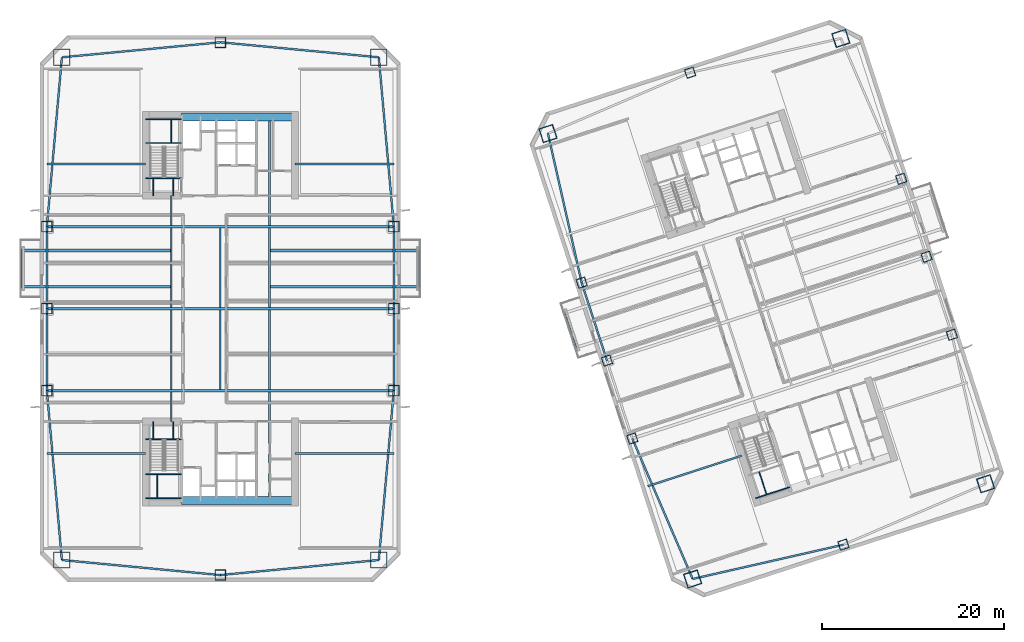
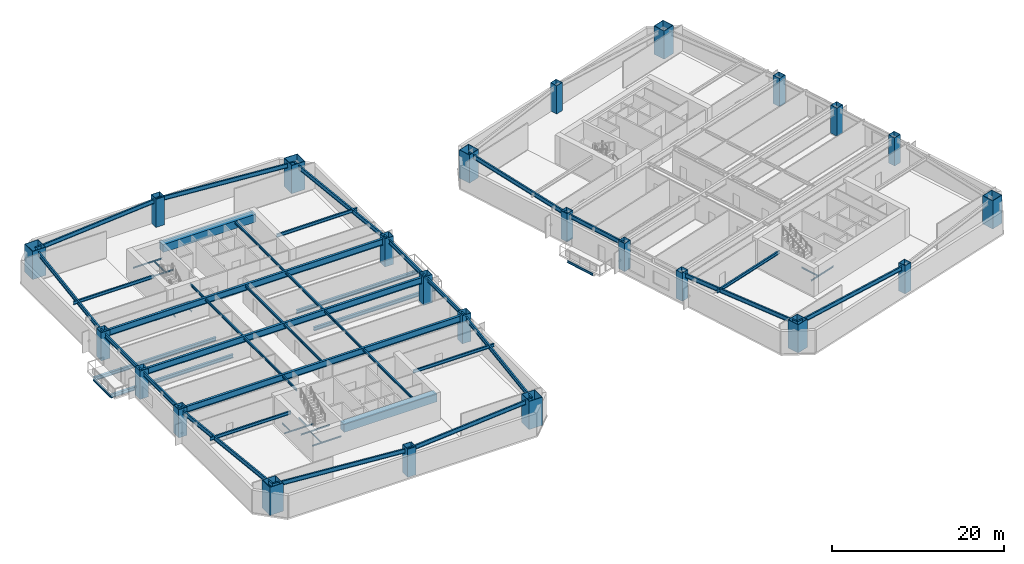
# One storey, part 1 of 21: 57 beams, 24 columns.
"""IFC4 building model written with IfcOpenShell, lengths in metres."""

from ifc_helpers import new_model, si_unit, direction, frame, origin, origin_2d, place, context, subcontext, project, spatial, rectangle, hollow_rectangle, i_section, extrude, material, material_profile, profile_set, type_object, element, save


model = new_model("IFC4")

# Units and contexts
model_context = context("Model", 3, precision=1e-05, world=origin(), true_north=direction((0.0, 1.0)))
body_context = subcontext(model_context, "Body", "Model", "MODEL_VIEW")
ifc_project = project(units=[si_unit("LENGTHUNIT", "METRE"), si_unit("AREAUNIT", "SQUARE_METRE"), si_unit("VOLUMEUNIT", "CUBIC_METRE"), si_unit("PLANEANGLEUNIT", "RADIAN"), si_unit("MASSUNIT", "GRAM", prefix="KILO")], contexts=[model_context])

# Site, building, storey
site_placement = place(None, origin())
site = spatial("IfcSite", under=ifc_project, at=site_placement, CompositionType="ELEMENT")
building_placement = place(site_placement, origin())
building = spatial("IfcBuilding", under=site, at=building_placement, Name="Qiaolan Cultural Towers", CompositionType="ELEMENT")
storey_placement = place(building_placement, frame((0.0, 0.0, 34.0)))
storey = spatial("IfcBuildingStorey", under=building, at=storey_placement, Name="L07", CompositionType="ELEMENT", Elevation=34.0)

# Columns
ifc_material_1 = material(Name="Steel Q355B", Category="steel")
ifc_material_profile_1 = material_profile(ifc_material_1, hollow_rectangle(XDim=1.0, YDim=1.0, WallThickness=0.035888671875, at=origin_2d()), Name="BOX1000x1000x36")
ifc_profile_set_1 = profile_set([ifc_material_profile_1], Name="Steel Q355B")
column_type_1 = type_object("IfcColumnType", Name="COL-BOX1000x1000x36", PredefinedType="COLUMN", material=ifc_profile_set_1)
for number, where, z_axis, x_axis, name in (
    (1, (75.234130859375, 19.739013671875, 0.0), (0.0, 0.0, 1.0), (0.951056516295, 0.309016994375, 0.0), "L07 T2 Perimeter Column PC-W1"),
    (2, (72.453125, 28.298583984375, 0.0), (0.0, 0.0, 1.0), (0.951056516295, 0.309016994375, 0.0), "L07 T2 Perimeter Column PC-W2"),
    (3, (69.671875, 36.858154296875, 0.0), (0.0, 0.0, 1.0), (0.951056516295, 0.309016994375, 0.0), "L07 T2 Perimeter Column PC-W3"),
    (4, (110.328125, 31.141845703125, 0.0), (0.0, 0.0, 1.0), (0.951056516295, 0.309016994375, 0.0), "L07 T2 Perimeter Column PC-E1"),
    (5, (107.546875, 39.701416015625, 0.0), (0.0, 0.0, 1.0), (0.951056516295, 0.309016994375, 0.0), "L07 T2 Perimeter Column PC-E2"),
    (6, (104.765869140625, 48.260986328125, 0.0), (0.0, 0.0, 1.0), (0.951056516295, 0.309016994375, 0.0), "L07 T2 Perimeter Column PC-E3"),
    (7, (98.420654296875, 8.083740234375, 0.0), (0.0, 0.0, 1.0), (0.951056516295, 0.309016994375, 0.0), "L07 T2 Perimeter Column PC-S0"),
    (8, (81.579345703125, 59.916259765625, 0.0), (0.0, 0.0, 1.0), (0.951056516295, 0.309016994375, 0.0), "L07 T2 Perimeter Column PC-N0"),
):
    element("IfcColumn", number, at=place(storey_placement, frame(where, z_axis=z_axis, x_axis=x_axis)), inside=storey, type_object=column_type_1, Name=name, PredefinedType="COLUMN", context=body_context, shape_type="SweptSolid", body=[
        extrude(hollow_rectangle(XDim=1.0, YDim=1.0, WallThickness=0.035888671875, at=origin_2d()), origin(), (0.0, 0.0, 1.0), 4.0009765625),
    ])
ifc_material_2 = material(Name="Steel Q390GJB", Category="steel")
ifc_material_profile_2 = material_profile(ifc_material_2, hollow_rectangle(XDim=1.14990234375, YDim=1.14990234375, WallThickness=0.0400390625, at=origin_2d()), Name="BOX1150x1150x40")
ifc_profile_set_2 = profile_set([ifc_material_profile_2], Name="Steel Q390GJB")
column_type_2 = type_object("IfcColumnType", Name="COL-BOX1150x1150x40", PredefinedType="COLUMN", material=ifc_profile_set_2)
for number, where, z_axis, x_axis, name in (
    (9, (10.949951171875, 25.0, 0.0), (0.0, 0.0, 1.0), (1.0, 0.0, 0.0), "L07 T1 Perimeter Column PC-W1"),
    (10, (10.949951171875, 34.0, 0.0), (0.0, 0.0, 1.0), (1.0, 0.0, 0.0), "L07 T1 Perimeter Column PC-W2"),
    (11, (10.949951171875, 43.0, 0.0), (0.0, 0.0, 1.0), (1.0, 0.0, 0.0), "L07 T1 Perimeter Column PC-W3"),
    (12, (49.050048828125, 25.0, 0.0), (0.0, 0.0, 1.0), (1.0, 0.0, 0.0), "L07 T1 Perimeter Column PC-E1"),
    (13, (49.050048828125, 34.0, 0.0), (0.0, 0.0, 1.0), (1.0, 0.0, 0.0), "L07 T1 Perimeter Column PC-E2"),
    (14, (49.050048828125, 43.0, 0.0), (0.0, 0.0, 1.0), (1.0, 0.0, 0.0), "L07 T1 Perimeter Column PC-E3"),
    (15, (30.0, 4.75, 0.0), (0.0, 0.0, 1.0), (1.0, 0.0, 0.0), "L07 T1 Perimeter Column PC-S0"),
    (16, (30.0, 63.25, 0.0), (0.0, 0.0, 1.0), (1.0, 0.0, 0.0), "L07 T1 Perimeter Column PC-N0"),
):
    element("IfcColumn", number, at=place(storey_placement, frame(where, z_axis=z_axis, x_axis=x_axis)), inside=storey, type_object=column_type_2, Name=name, PredefinedType="COLUMN", context=body_context, shape_type="SweptSolid", body=[
        extrude(hollow_rectangle(XDim=1.14990234375, YDim=1.14990234375, WallThickness=0.0400390625, at=origin_2d()), origin(), (0.0, 0.0, 1.0), 4.0009765625),
    ])
ifc_material_3 = material(Name="Steel Q420GJB", Category="steel")
ifc_material_profile_3 = material_profile(ifc_material_3, hollow_rectangle(XDim=1.60009765625, YDim=1.60009765625, WallThickness=0.054931640625, at=origin_2d()), Name="BOX1600x1600x55")
ifc_profile_set_3 = profile_set([ifc_material_profile_3], Name="Steel Q420GJB")
column_type_3 = type_object("IfcColumnType", Name="COL-BOX1600x1600x55", PredefinedType="COLUMN", material=ifc_profile_set_3)
for number, where, z_axis, x_axis, name in (
    (17, (81.862548828125, 4.32275390625, 0.0), (0.0, 0.0, 1.0), (0.951056516295, 0.309016994375, 0.0), "L07 T2 Perimeter Column MC-SW"),
    (18, (114.027099609375, 14.77392578125, 0.0), (0.0, 0.0, 1.0), (0.951056516295, 0.309016994375, 0.0), "L07 T2 Perimeter Column MC-SE"),
    (19, (98.137451171875, 63.67724609375, 0.0), (0.0, 0.0, 1.0), (0.951056516295, 0.309016994375, 0.0), "L07 T2 Perimeter Column MC-NE"),
    (20, (65.972900390625, 53.22607421875, 0.0), (0.0, 0.0, 1.0), (0.951056516295, 0.309016994375, 0.0), "L07 T2 Perimeter Column MC-NW"),
):
    element("IfcColumn", number, at=place(storey_placement, frame(where, z_axis=z_axis, x_axis=x_axis)), inside=storey, type_object=column_type_3, Name=name, PredefinedType="COLUMN", context=body_context, shape_type="SweptSolid", body=[
        extrude(hollow_rectangle(XDim=1.60009765625, YDim=1.60009765625, WallThickness=0.054931640625, at=origin_2d()), origin(), (0.0, 0.0, 1.0), 4.0009765625),
    ])
ifc_material_4 = material(Name="Steel Q420GJB", Category="steel")
ifc_material_profile_4 = material_profile(ifc_material_4, hollow_rectangle(XDim=1.800048828125, YDim=1.800048828125, WallThickness=0.06005859375, at=origin_2d()), Name="BOX1800x1800x60")
ifc_profile_set_4 = profile_set([ifc_material_profile_4], Name="Steel Q420GJB")
column_type_4 = type_object("IfcColumnType", Name="COL-BOX1800x1800x60", PredefinedType="COLUMN", material=ifc_profile_set_4)
for number, where, z_axis, x_axis, name in (
    (21, (12.60009765625, 6.39990234375, 0.0), (0.0, 0.0, 1.0), (1.0, 0.0, 0.0), "L07 T1 Perimeter Column MC-SW"),
    (22, (47.39990234375, 6.39990234375, 0.0), (0.0, 0.0, 1.0), (1.0, 0.0, 0.0), "L07 T1 Perimeter Column MC-SE"),
    (23, (47.39990234375, 61.60009765625, 0.0), (0.0, 0.0, 1.0), (1.0, 0.0, 0.0), "L07 T1 Perimeter Column MC-NE"),
    (24, (12.60009765625, 61.60009765625, 0.0), (0.0, 0.0, 1.0), (1.0, 0.0, 0.0), "L07 T1 Perimeter Column MC-NW"),
):
    element("IfcColumn", number, at=place(storey_placement, frame(where, z_axis=z_axis, x_axis=x_axis)), inside=storey, type_object=column_type_4, Name=name, PredefinedType="COLUMN", context=body_context, shape_type="SweptSolid", body=[
        extrude(hollow_rectangle(XDim=1.800048828125, YDim=1.800048828125, WallThickness=0.06005859375, at=origin_2d()), origin(), (0.0, 0.0, 1.0), 4.0009765625),
    ])

# Beams
ifc_material_5 = material(Name="Steel Q355B", Category="steel")
ifc_material_profile_5 = material_profile(ifc_material_5, i_section(OverallWidth=0.300048828125, OverallDepth=0.488037109375, WebThickness=0.010986328125, FlangeThickness=0.01806640625, at=origin_2d()), Name="HM488x300x11x18")
ifc_profile_set_5 = profile_set([ifc_material_profile_5], Name="Steel Q355B")
beam_type_1 = type_object("IfcBeamType", Name="BM-HM488x300x11x18", PredefinedType="BEAM", material=ifc_profile_set_5)
for number, where, z_axis, x_axis, name in (
    (25, (24.60009765625, 36.39990234375, -0.52392578125), (-1.0, 0.0, 0.0), (0.0, -1.0, 0.0), "L07 T1 Tree Balcony Back-Spanned Bracket Beam"),
    (26, (24.60009765625, 40.39990234375, -0.52392578125), (-1.0, 0.0, 0.0), (0.0, -1.0, 0.0), "L07 T1 Tree Balcony Back-Spanned Bracket Beam"),
    (27, (35.39990234375, 36.39990234375, -0.52392578125), (1.0, 0.0, 0.0), (0.0, 1.0, 0.0), "L07 T1 Tree Balcony Back-Spanned Bracket Beam"),
    (28, (35.39990234375, 40.39990234375, -0.52392578125), (1.0, 0.0, 0.0), (0.0, 1.0, 0.0), "L07 T1 Tree Balcony Back-Spanned Bracket Beam"),
):
    element("IfcBeam", number, at=place(storey_placement, frame(where, z_axis=z_axis, x_axis=x_axis)), inside=storey, type_object=beam_type_1, Name=name, PredefinedType="BEAM", context=body_context, shape_type="SweptSolid", body=[
        extrude(i_section(OverallWidth=0.300048828125, OverallDepth=0.488037109375, WebThickness=0.010986328125, FlangeThickness=0.01806640625, at=origin_2d()), origin(), (0.0, 0.0, 1.0), 16.4501953125),
    ])
ifc_material_6 = material(Name="Steel Q355B", Category="steel")
ifc_material_profile_6 = material_profile(ifc_material_6, i_section(OverallWidth=0.300048828125, OverallDepth=0.89990234375, WebThickness=0.01611328125, FlangeThickness=0.028076171875, at=origin_2d()), Name="HN900x300x16x28")
ifc_profile_set_6 = profile_set([ifc_material_profile_6], Name="Steel Q355B")
beam_type_2 = type_object("IfcBeamType", Name="BM-HN900x300x16x28", PredefinedType="BEAM", material=ifc_profile_set_6)
for number, where, z_axis, x_axis, name in (
    (29, (10.949951171875, 25.0, 3.2900390625), (1.0, 0.0, 0.0), (0.0, 1.0, 0.0), "L07 T1 Primary Transverse Girder V1"),
    (30, (10.949951171875, 34.0, 3.2900390625), (1.0, 0.0, 0.0), (0.0, 1.0, 0.0), "L07 T1 Primary Transverse Girder V2"),
    (31, (10.949951171875, 43.0, 3.2900390625), (1.0, 0.0, 0.0), (0.0, 1.0, 0.0), "L07 T1 Primary Transverse Girder V3"),
):
    element("IfcBeam", number, at=place(storey_placement, frame(where, z_axis=z_axis, x_axis=x_axis)), inside=storey, type_object=beam_type_2, Name=name, PredefinedType="BEAM", context=body_context, shape_type="SweptSolid", body=[
        extrude(i_section(OverallWidth=0.300048828125, OverallDepth=0.89990234375, WebThickness=0.01611328125, FlangeThickness=0.028076171875, at=origin_2d()), origin(), (0.0, 0.0, 1.0), 38.10009765625),
    ])
ifc_material_7 = material(Name="Steel Q355B", Category="steel")
ifc_material_profile_7 = material_profile(ifc_material_7, i_section(OverallWidth=0.175048828125, OverallDepth=0.35009765625, WebThickness=0.007080078125, FlangeThickness=0.010986328125, at=origin_2d()), Name="HN350x175x7x11")
ifc_profile_set_7 = profile_set([ifc_material_profile_7], Name="Steel Q355B")
beam_type_3 = type_object("IfcBeamType", Name="BM-JST-HN350x175x7x11", PredefinedType="JOIST", material=ifc_profile_set_7)
for number, where, z_axis, x_axis, name in (
    (32, (8.14990234375, 36.39990234375, -0.52392578125), (0.0, 1.0, 0.0), (-1.0, 0.0, 0.0), "L07 T1 Tree Balcony Outer Edge Beam"),
    (33, (51.85009765625, 36.39990234375, -0.52392578125), (0.0, 1.0, 0.0), (-1.0, 0.0, 0.0), "L07 T1 Tree Balcony Outer Edge Beam"),
):
    element("IfcBeam", number, at=place(storey_placement, frame(where, z_axis=z_axis, x_axis=x_axis)), inside=storey, type_object=beam_type_3, Name=name, PredefinedType="JOIST", context=body_context, shape_type="SweptSolid", body=[
        extrude(i_section(OverallWidth=0.175048828125, OverallDepth=0.35009765625, WebThickness=0.007080078125, FlangeThickness=0.010986328125, at=origin_2d()), origin(), (0.0, 0.0, 1.0), 4.0),
    ])
beam_1_placement = place(storey_placement, frame((69.04833984375, 29.7158203125, -0.52392578125), z_axis=(-0.3090046493, 0.951060527364, 0.0), x_axis=(-0.951060527364, -0.3090046493, 0.0)))
element("IfcBeam", 34, at=beam_1_placement, inside=storey, type_object=beam_type_3, Name="L07 T2 Tree Balcony Outer Edge Beam", PredefinedType="JOIST", context=body_context, shape_type="SweptSolid", body=[
    extrude(i_section(OverallWidth=0.175048828125, OverallDepth=0.35009765625, WebThickness=0.007080078125, FlangeThickness=0.010986328125, at=origin_2d()), origin(), (0.0, 0.0, 1.0), 4.000244140625),
])
beam_2_placement = place(storey_placement, frame((24.60009765625, 21.60009765625, 3.56494140625), z_axis=(0.0, 1.0, 0.0), x_axis=(-1.0, 0.0, 0.0)))
element("IfcBeam", 35, at=beam_2_placement, inside=storey, type_object=beam_type_3, Name="L07 T1 Secondary Floor Joist U1-1", PredefinedType="JOIST", context=body_context, shape_type="SweptSolid", body=[
    extrude(i_section(OverallWidth=0.175048828125, OverallDepth=0.35009765625, WebThickness=0.007080078125, FlangeThickness=0.010986328125, at=origin_2d()), origin(), (0.0, 0.0, 1.0), 3.25),
])
for number, where, z_axis, x_axis, name in (
    (36, (24.60009765625, 25.14990234375, 3.56494140625), (0.0, 1.0, 0.0), (-1.0, 0.0, 0.0), "L07 T1 Secondary Floor Joist U1-2"),
    (37, (24.60009765625, 34.14990234375, 3.56494140625), (0.0, 1.0, 0.0), (-1.0, 0.0, 0.0), "L07 T1 Secondary Floor Joist U1-3"),
):
    element("IfcBeam", number, at=place(storey_placement, frame(where, z_axis=z_axis, x_axis=x_axis)), inside=storey, type_object=beam_type_3, Name=name, PredefinedType="JOIST", context=body_context, shape_type="SweptSolid", body=[
        extrude(i_section(OverallWidth=0.175048828125, OverallDepth=0.35009765625, WebThickness=0.007080078125, FlangeThickness=0.010986328125, at=origin_2d()), origin(), (0.0, 0.0, 1.0), 8.7001953125),
    ])
beam_3_placement = place(storey_placement, frame((24.60009765625, 43.14990234375, 3.56494140625), z_axis=(0.0, 1.0, 0.0), x_axis=(-1.0, 0.0, 0.0)))
element("IfcBeam", 38, at=beam_3_placement, inside=storey, type_object=beam_type_3, Name="L07 T1 Secondary Floor Joist U1-4", PredefinedType="JOIST", context=body_context, shape_type="SweptSolid", body=[
    extrude(i_section(OverallWidth=0.175048828125, OverallDepth=0.35009765625, WebThickness=0.007080078125, FlangeThickness=0.010986328125, at=origin_2d()), origin(), (0.0, 0.0, 1.0), 3.25),
])
for number, where, z_axis, x_axis, name in (
    (39, (30.0, 25.14990234375, 3.56494140625), (0.0, 1.0, 0.0), (-1.0, 0.0, 0.0), "L07 T1 Secondary Floor Joist U2-2"),
    (40, (30.0, 34.14990234375, 3.56494140625), (0.0, 1.0, 0.0), (-1.0, 0.0, 0.0), "L07 T1 Secondary Floor Joist U2-3"),
):
    element("IfcBeam", number, at=place(storey_placement, frame(where, z_axis=z_axis, x_axis=x_axis)), inside=storey, type_object=beam_type_3, Name=name, PredefinedType="JOIST", context=body_context, shape_type="SweptSolid", body=[
        extrude(i_section(OverallWidth=0.175048828125, OverallDepth=0.35009765625, WebThickness=0.007080078125, FlangeThickness=0.010986328125, at=origin_2d()), origin(), (0.0, 0.0, 1.0), 8.7001953125),
    ])
beam_4_placement = place(storey_placement, frame((35.39990234375, 13.39990234375, 3.56494140625), z_axis=(0.0, 1.0, 0.0), x_axis=(-1.0, 0.0, 0.0)))
element("IfcBeam", 41, at=beam_4_placement, inside=storey, type_object=beam_type_3, Name="L07 T1 Secondary Floor Joist U3-1", PredefinedType="JOIST", context=body_context, shape_type="SweptSolid", body=[
    extrude(i_section(OverallWidth=0.175048828125, OverallDepth=0.35009765625, WebThickness=0.007080078125, FlangeThickness=0.010986328125, at=origin_2d()), origin(), (0.0, 0.0, 1.0), 11.4501953125),
])
for number, where, z_axis, x_axis, name in (
    (42, (35.39990234375, 25.14990234375, 3.56494140625), (0.0, 1.0, 0.0), (-1.0, 0.0, 0.0), "L07 T1 Secondary Floor Joist U3-2"),
    (43, (35.39990234375, 34.14990234375, 3.56494140625), (0.0, 1.0, 0.0), (-1.0, 0.0, 0.0), "L07 T1 Secondary Floor Joist U3-3"),
):
    element("IfcBeam", number, at=place(storey_placement, frame(where, z_axis=z_axis, x_axis=x_axis)), inside=storey, type_object=beam_type_3, Name=name, PredefinedType="JOIST", context=body_context, shape_type="SweptSolid", body=[
        extrude(i_section(OverallWidth=0.175048828125, OverallDepth=0.35009765625, WebThickness=0.007080078125, FlangeThickness=0.010986328125, at=origin_2d()), origin(), (0.0, 0.0, 1.0), 8.7001953125),
    ])
beam_5_placement = place(storey_placement, frame((35.39990234375, 43.14990234375, 3.56494140625), z_axis=(0.0, 1.0, 0.0), x_axis=(-1.0, 0.0, 0.0)))
element("IfcBeam", 44, at=beam_5_placement, inside=storey, type_object=beam_type_3, Name="L07 T1 Secondary Floor Joist U3-4", PredefinedType="JOIST", context=body_context, shape_type="SweptSolid", body=[
    extrude(i_section(OverallWidth=0.175048828125, OverallDepth=0.35009765625, WebThickness=0.007080078125, FlangeThickness=0.010986328125, at=origin_2d()), origin(), (0.0, 0.0, 1.0), 11.4501953125),
])
ifc_material_8 = material(Name="Steel Q355B", Category="steel")
ifc_material_profile_8 = material_profile(ifc_material_8, i_section(OverallWidth=0.199951171875, OverallDepth=0.449951171875, WebThickness=0.009033203125, FlangeThickness=0.013916015625, at=origin_2d()), Name="HN450x200x9x14")
ifc_profile_set_8 = profile_set([ifc_material_profile_8], Name="Steel Q355B")
beam_type_4 = type_object("IfcBeamType", Name="BM-LNT-HN450x200x9x14", PredefinedType="LINTEL", material=ifc_profile_set_8)
for number, where, z_axis, x_axis, name in (
    (45, (21.800048828125, 18.10009765625, 3.514892578125), (-1.0, 0.0, 0.0), (0.0, -1.0, 0.0), "L07 T1 Core Flank Tie Lintel WS"),
    (46, (21.800048828125, 49.89990234375, 3.514892578125), (-1.0, 0.0, 0.0), (0.0, -1.0, 0.0), "L07 T1 Core Flank Tie Lintel WN"),
    (47, (38.199951171875, 18.10009765625, 3.514892578125), (1.0, 0.0, 0.0), (0.0, 1.0, 0.0), "L07 T1 Core Flank Tie Lintel ES"),
    (48, (38.199951171875, 49.89990234375, 3.514892578125), (1.0, 0.0, 0.0), (0.0, 1.0, 0.0), "L07 T1 Core Flank Tie Lintel EN"),
):
    element("IfcBeam", number, at=place(storey_placement, frame(where, z_axis=z_axis, x_axis=x_axis)), inside=storey, type_object=beam_type_4, Name=name, PredefinedType="LINTEL", context=body_context, shape_type="SweptSolid", body=[
        extrude(i_section(OverallWidth=0.199951171875, OverallDepth=0.449951171875, WebThickness=0.009033203125, FlangeThickness=0.013916015625, at=origin_2d()), origin(), (0.0, 0.0, 1.0), 10.85009765625),
    ])
beam_6_placement = place(storey_placement, frame((87.252685546875, 17.861083984375, 3.514892578125), z_axis=(-0.95105688584, -0.30901585703, 0.0), x_axis=(0.30901585703, -0.95105688584, 0.0)))
element("IfcBeam", 49, at=beam_6_placement, inside=storey, type_object=beam_type_4, Name="L07 T2 Core Flank Tie Lintel WS", PredefinedType="LINTEL", context=body_context, shape_type="SweptSolid", body=[
    extrude(i_section(OverallWidth=0.199951171875, OverallDepth=0.449951171875, WebThickness=0.009033203125, FlangeThickness=0.013916015625, at=origin_2d()), origin(), (0.0, 0.0, 1.0), 10.849853515625),
])
ifc_material_9 = material(Name="Concrete C50", Category="concrete")
ifc_material_profile_9 = material_profile(ifc_material_9, rectangle(XDim=0.89990234375, YDim=1.10009765625, at=origin_2d()), Name="RC900x1100")
ifc_profile_set_9 = profile_set([ifc_material_profile_9], Name="Concrete C50")
beam_type_5 = type_object("IfcBeamType", Name="BM-RC900x1100", PredefinedType="BEAM", material=ifc_profile_set_9)
for number, where, z_axis, x_axis, name in (
    (50, (25.719970703125, 12.949951171875, 3.18994140625), (1.0, 0.0, 0.0), (0.0, 1.0, 0.0), "L07 T1 Core Header Girder S"),
    (51, (25.719970703125, 55.050048828125, 3.18994140625), (1.0, 0.0, 0.0), (0.0, 1.0, 0.0), "L07 T1 Core Header Girder N"),
):
    element("IfcBeam", number, at=place(storey_placement, frame(where, z_axis=z_axis, x_axis=x_axis)), inside=storey, type_object=beam_type_5, Name=name, PredefinedType="BEAM", context=body_context, shape_type="SweptSolid", body=[
        extrude(rectangle(XDim=0.89990234375, YDim=1.10009765625, at=origin_2d()), origin(), (0.0, 0.0, 1.0), 12.47998046875),
    ])
ifc_material_10 = material(Name="Steel Q355B", Category="steel")
ifc_material_profile_10 = material_profile(ifc_material_10, i_section(OverallWidth=0.199951171875, OverallDepth=0.60009765625, WebThickness=0.010986328125, FlangeThickness=0.01708984375, at=origin_2d()), Name="HN600x200x11x17")
ifc_profile_set_10 = profile_set([ifc_material_profile_10], Name="Steel Q355B")
beam_type_6 = type_object("IfcBeamType", Name="BM-SPD-HN600x200x11x17", PredefinedType="SPANDREL", material=ifc_profile_set_10)
for number, where, z_axis, x_axis, name in (
    (52, (12.60009765625, 6.39990234375, 3.43994140625), (0.995534437156, -0.094399070104, 0.0), (0.094399070104, 0.995534437156, 0.0), "L07 T1 Perimeter Spandrel Beam 1"),
    (53, (30.0, 4.75, 3.43994140625), (0.995534437156, 0.094399070104, 0.0), (-0.094399070104, 0.995534437156, 0.0), "L07 T1 Perimeter Spandrel Beam 2"),
):
    element("IfcBeam", number, at=place(storey_placement, frame(where, z_axis=z_axis, x_axis=x_axis)), inside=storey, type_object=beam_type_6, Name=name, PredefinedType="SPANDREL", context=body_context, shape_type="SweptSolid", body=[
        extrude(i_section(OverallWidth=0.199951171875, OverallDepth=0.60009765625, WebThickness=0.010986328125, FlangeThickness=0.01708984375, at=origin_2d()), origin(), (0.0, 0.0, 1.0), 17.47802734375),
    ])
beam_7_placement = place(storey_placement, frame((47.39990234375, 6.39990234375, 3.43994140625), z_axis=(0.08837000091, 0.996087718496, 0.0), x_axis=(-0.996087718496, 0.08837000091, 0.0)))
element("IfcBeam", 54, at=beam_7_placement, inside=storey, type_object=beam_type_6, Name="L07 T1 Perimeter Spandrel Beam 3", PredefinedType="SPANDREL", context=body_context, shape_type="SweptSolid", body=[
    extrude(i_section(OverallWidth=0.199951171875, OverallDepth=0.60009765625, WebThickness=0.010986328125, FlangeThickness=0.01708984375, at=origin_2d()), origin(), (0.0, 0.0, 1.0), 18.673095703125),
])
for number, where, z_axis, x_axis, name in (
    (55, (49.050048828125, 25.0, 3.43994140625), (0.0, 1.0, 0.0), (-1.0, 0.0, 0.0), "L07 T1 Perimeter Spandrel Beam 4"),
    (56, (49.050048828125, 34.0, 3.43994140625), (0.0, 1.0, 0.0), (-1.0, 0.0, 0.0), "L07 T1 Perimeter Spandrel Beam 5"),
):
    element("IfcBeam", number, at=place(storey_placement, frame(where, z_axis=z_axis, x_axis=x_axis)), inside=storey, type_object=beam_type_6, Name=name, PredefinedType="SPANDREL", context=body_context, shape_type="SweptSolid", body=[
        extrude(i_section(OverallWidth=0.199951171875, OverallDepth=0.60009765625, WebThickness=0.010986328125, FlangeThickness=0.01708984375, at=origin_2d()), origin(), (0.0, 0.0, 1.0), 9.0),
    ])
beam_8_placement = place(storey_placement, frame((49.050048828125, 43.0, 3.43994140625), z_axis=(-0.08837000091, 0.996087718496, 0.0), x_axis=(-0.996087718496, -0.08837000091, 0.0)))
element("IfcBeam", 57, at=beam_8_placement, inside=storey, type_object=beam_type_6, Name="L07 T1 Perimeter Spandrel Beam 6", PredefinedType="SPANDREL", context=body_context, shape_type="SweptSolid", body=[
    extrude(i_section(OverallWidth=0.199951171875, OverallDepth=0.60009765625, WebThickness=0.010986328125, FlangeThickness=0.01708984375, at=origin_2d()), origin(), (0.0, 0.0, 1.0), 18.673095703125),
])
for number, where, z_axis, x_axis, name in (
    (58, (47.39990234375, 61.60009765625, 3.43994140625), (-0.995534437156, 0.094399070104, 0.0), (-0.094399070104, -0.995534437156, 0.0), "L07 T1 Perimeter Spandrel Beam 7"),
    (59, (30.0, 63.25, 3.43994140625), (-0.995534437156, -0.094399070104, 0.0), (0.094399070104, -0.995534437156, 0.0), "L07 T1 Perimeter Spandrel Beam 8"),
):
    element("IfcBeam", number, at=place(storey_placement, frame(where, z_axis=z_axis, x_axis=x_axis)), inside=storey, type_object=beam_type_6, Name=name, PredefinedType="SPANDREL", context=body_context, shape_type="SweptSolid", body=[
        extrude(i_section(OverallWidth=0.199951171875, OverallDepth=0.60009765625, WebThickness=0.010986328125, FlangeThickness=0.01708984375, at=origin_2d()), origin(), (0.0, 0.0, 1.0), 17.47802734375),
    ])
beam_9_placement = place(storey_placement, frame((12.60009765625, 61.60009765625, 3.43994140625), z_axis=(-0.08837000091, -0.996087718496, 0.0), x_axis=(0.996087718496, -0.08837000091, 0.0)))
element("IfcBeam", 60, at=beam_9_placement, inside=storey, type_object=beam_type_6, Name="L07 T1 Perimeter Spandrel Beam 9", PredefinedType="SPANDREL", context=body_context, shape_type="SweptSolid", body=[
    extrude(i_section(OverallWidth=0.199951171875, OverallDepth=0.60009765625, WebThickness=0.010986328125, FlangeThickness=0.01708984375, at=origin_2d()), origin(), (0.0, 0.0, 1.0), 18.673095703125),
])
for number, where, z_axis, x_axis, name in (
    (61, (10.949951171875, 43.0, 3.43994140625), (0.0, -1.0, 0.0), (1.0, 0.0, 0.0), "L07 T1 Perimeter Spandrel Beam 10"),
    (62, (10.949951171875, 34.0, 3.43994140625), (0.0, -1.0, 0.0), (1.0, 0.0, 0.0), "L07 T1 Perimeter Spandrel Beam 11"),
):
    element("IfcBeam", number, at=place(storey_placement, frame(where, z_axis=z_axis, x_axis=x_axis)), inside=storey, type_object=beam_type_6, Name=name, PredefinedType="SPANDREL", context=body_context, shape_type="SweptSolid", body=[
        extrude(i_section(OverallWidth=0.199951171875, OverallDepth=0.60009765625, WebThickness=0.010986328125, FlangeThickness=0.01708984375, at=origin_2d()), origin(), (0.0, 0.0, 1.0), 9.0),
    ])
beam_10_placement = place(storey_placement, frame((10.949951171875, 25.0, 3.43994140625), z_axis=(0.08837000091, -0.996087718496, 0.0), x_axis=(0.996087718496, 0.08837000091, 0.0)))
element("IfcBeam", 63, at=beam_10_placement, inside=storey, type_object=beam_type_6, Name="L07 T1 Perimeter Spandrel Beam 12", PredefinedType="SPANDREL", context=body_context, shape_type="SweptSolid", body=[
    extrude(i_section(OverallWidth=0.199951171875, OverallDepth=0.60009765625, WebThickness=0.010986328125, FlangeThickness=0.01708984375, at=origin_2d()), origin(), (0.0, 0.0, 1.0), 18.673095703125),
])
beam_11_placement = place(storey_placement, frame((81.862548828125, 4.32275390625, 3.43994140625), z_axis=(0.975161095889, 0.221496810506, 0.0), x_axis=(-0.221496810506, 0.975161095889, 0.0)))
element("IfcBeam", 64, at=beam_11_placement, inside=storey, type_object=beam_type_6, Name="L07 T2 Perimeter Spandrel Beam 1", PredefinedType="SPANDREL", context=body_context, shape_type="SweptSolid", body=[
    extrude(i_section(OverallWidth=0.199951171875, OverallDepth=0.60009765625, WebThickness=0.010986328125, FlangeThickness=0.01708984375, at=origin_2d()), origin(), (0.0, 0.0, 1.0), 16.97998046875),
])
beam_12_placement = place(storey_placement, frame((65.972900390625, 53.22607421875, 3.43994140625), z_axis=(0.220430557386, -0.975402670373, 0.0), x_axis=(0.975402670373, 0.220430557386, 0.0)))
element("IfcBeam", 65, at=beam_12_placement, inside=storey, type_object=beam_type_6, Name="L07 T2 Perimeter Spandrel Beam 9", PredefinedType="SPANDREL", context=body_context, shape_type="SweptSolid", body=[
    extrude(i_section(OverallWidth=0.199951171875, OverallDepth=0.60009765625, WebThickness=0.010986328125, FlangeThickness=0.01708984375, at=origin_2d()), origin(), (0.0, 0.0, 1.0), 16.78076171875),
])
beam_13_placement = place(storey_placement, frame((69.671875, 36.858154296875, 3.43994140625), z_axis=(0.309024734286, -0.951054001411, 0.0), x_axis=(0.951054001411, 0.309024734286, 0.0)))
element("IfcBeam", 66, at=beam_13_placement, inside=storey, type_object=beam_type_6, Name="L07 T2 Perimeter Spandrel Beam 10", PredefinedType="SPANDREL", context=body_context, shape_type="SweptSolid", body=[
    extrude(i_section(OverallWidth=0.199951171875, OverallDepth=0.60009765625, WebThickness=0.010986328125, FlangeThickness=0.01708984375, at=origin_2d()), origin(), (0.0, 0.0, 1.0), 9.0),
])
beam_14_placement = place(storey_placement, frame((75.234130859375, 19.739013671875, 3.43994140625), z_axis=(0.394998896054, -0.918681594524, 0.0), x_axis=(0.918681594524, 0.394998896054, 0.0)))
element("IfcBeam", 67, at=beam_14_placement, inside=storey, type_object=beam_type_6, Name="L07 T2 Perimeter Spandrel Beam 12", PredefinedType="SPANDREL", context=body_context, shape_type="SweptSolid", body=[
    extrude(i_section(OverallWidth=0.199951171875, OverallDepth=0.60009765625, WebThickness=0.010986328125, FlangeThickness=0.01708984375, at=origin_2d()), origin(), (0.0, 0.0, 1.0), 16.78076171875),
])
ifc_material_11 = material(Name="Steel Q355B", Category="steel")
ifc_material_profile_11 = material_profile(ifc_material_11, i_section(OverallWidth=0.10009765625, OverallDepth=0.199951171875, WebThickness=0.005615234375, FlangeThickness=0.008056640625, at=origin_2d()), Name="HN200x100x5.5x8")
ifc_profile_set_11 = profile_set([ifc_material_profile_11], Name="Steel Q355B")
beam_type_7 = type_object("IfcBeamType", Name="BM-STTRIM-200", PredefinedType="BEAM", material=ifc_profile_set_11)
beam_15_placement = place(storey_placement, frame((21.800048828125, 19.659912109375, -0.4599609375), z_axis=(1.0, 0.0, 0.0), x_axis=(0.0, 1.0, 0.0)))
element("IfcBeam", 68, at=beam_15_placement, inside=storey, type_object=beam_type_7, Name="L07 ST-W1 Floor Landing Header Beam", PredefinedType="BEAM", context=body_context, shape_type="SweptSolid", body=[
    extrude(i_section(OverallWidth=0.10009765625, OverallDepth=0.199951171875, WebThickness=0.005615234375, FlangeThickness=0.008056640625, at=origin_2d()), origin(), (0.0, 0.0, 1.0), 3.919921875),
])
for number, where, z_axis, x_axis, name in (
    (69, (22.64990234375, 21.60009765625, -0.4599609375), (0.0, -1.0, 0.0), (1.0, 0.0, 0.0), "L07 ST-W1 Floor Landing Stringer 1"),
    (70, (24.85009765625, 21.60009765625, -0.4599609375), (0.0, -1.0, 0.0), (1.0, 0.0, 0.0), "L07 ST-W1 Floor Landing Stringer 2"),
):
    element("IfcBeam", number, at=place(storey_placement, frame(where, z_axis=z_axis, x_axis=x_axis)), inside=storey, type_object=beam_type_7, Name=name, PredefinedType="BEAM", context=body_context, shape_type="SweptSolid", body=[
        extrude(i_section(OverallWidth=0.10009765625, OverallDepth=0.199951171875, WebThickness=0.005615234375, FlangeThickness=0.008056640625, at=origin_2d()), origin(), (0.0, 0.0, 1.0), 1.940185546875),
    ])
for number, where, z_axis, x_axis, name in (
    (71, (21.800048828125, 15.811279296875, 1.699951171875), (1.0, 0.0, 0.0), (0.0, 1.0, 0.0), "L07 ST-W1 Stair Landing Support Beam 1-1"),
    (72, (21.800048828125, 13.179931640625, 1.699951171875), (1.0, 0.0, 0.0), (0.0, 1.0, 0.0), "L07 ST-W1 Stair Landing Support Beam 1-2"),
):
    element("IfcBeam", number, at=place(storey_placement, frame(where, z_axis=z_axis, x_axis=x_axis)), inside=storey, type_object=beam_type_7, Name=name, PredefinedType="BEAM", context=body_context, shape_type="SweptSolid", body=[
        extrude(i_section(OverallWidth=0.10009765625, OverallDepth=0.199951171875, WebThickness=0.005615234375, FlangeThickness=0.008056640625, at=origin_2d()), origin(), (0.0, 0.0, 1.0), 3.919921875),
    ])
beam_16_placement = place(storey_placement, frame((23.070068359375, 15.811279296875, 1.699951171875), z_axis=(0.0, -1.0, 0.0), x_axis=(1.0, 0.0, 0.0)))
element("IfcBeam", 73, at=beam_16_placement, inside=storey, type_object=beam_type_7, Name="L07 ST-W1 Stair Landing Trimmer 1", PredefinedType="BEAM", context=body_context, shape_type="SweptSolid", body=[
    extrude(i_section(OverallWidth=0.10009765625, OverallDepth=0.199951171875, WebThickness=0.005615234375, FlangeThickness=0.008056640625, at=origin_2d()), origin(), (0.0, 0.0, 1.0), 2.63134765625),
])
beam_17_placement = place(storey_placement, frame((21.800048828125, 48.340087890625, -0.4599609375), z_axis=(1.0, 0.0, 0.0), x_axis=(0.0, 1.0, 0.0)))
element("IfcBeam", 74, at=beam_17_placement, inside=storey, type_object=beam_type_7, Name="L07 ST-W2 Floor Landing Header Beam", PredefinedType="BEAM", context=body_context, shape_type="SweptSolid", body=[
    extrude(i_section(OverallWidth=0.10009765625, OverallDepth=0.199951171875, WebThickness=0.005615234375, FlangeThickness=0.008056640625, at=origin_2d()), origin(), (0.0, 0.0, 1.0), 3.919921875),
])
for number, where, z_axis, x_axis, name in (
    (75, (22.64990234375, 46.39990234375, -0.4599609375), (0.0, 1.0, 0.0), (-1.0, 0.0, 0.0), "L07 ST-W2 Floor Landing Stringer 1"),
    (76, (24.85009765625, 46.39990234375, -0.4599609375), (0.0, 1.0, 0.0), (-1.0, 0.0, 0.0), "L07 ST-W2 Floor Landing Stringer 2"),
):
    element("IfcBeam", number, at=place(storey_placement, frame(where, z_axis=z_axis, x_axis=x_axis)), inside=storey, type_object=beam_type_7, Name=name, PredefinedType="BEAM", context=body_context, shape_type="SweptSolid", body=[
        extrude(i_section(OverallWidth=0.10009765625, OverallDepth=0.199951171875, WebThickness=0.005615234375, FlangeThickness=0.008056640625, at=origin_2d()), origin(), (0.0, 0.0, 1.0), 1.940185546875),
    ])
for number, where, z_axis, x_axis, name in (
    (77, (21.800048828125, 52.188720703125, 1.699951171875), (1.0, 0.0, 0.0), (0.0, 1.0, 0.0), "L07 ST-W2 Stair Landing Support Beam 1-1"),
    (78, (21.800048828125, 54.820068359375, 1.699951171875), (1.0, 0.0, 0.0), (0.0, 1.0, 0.0), "L07 ST-W2 Stair Landing Support Beam 1-2"),
):
    element("IfcBeam", number, at=place(storey_placement, frame(where, z_axis=z_axis, x_axis=x_axis)), inside=storey, type_object=beam_type_7, Name=name, PredefinedType="BEAM", context=body_context, shape_type="SweptSolid", body=[
        extrude(i_section(OverallWidth=0.10009765625, OverallDepth=0.199951171875, WebThickness=0.005615234375, FlangeThickness=0.008056640625, at=origin_2d()), origin(), (0.0, 0.0, 1.0), 3.919921875),
    ])
beam_18_placement = place(storey_placement, frame((24.610107421875, 52.188720703125, 1.699951171875), z_axis=(0.0, 1.0, 0.0), x_axis=(-1.0, 0.0, 0.0)))
element("IfcBeam", 79, at=beam_18_placement, inside=storey, type_object=beam_type_7, Name="L07 ST-W2 Stair Landing Trimmer 1", PredefinedType="BEAM", context=body_context, shape_type="SweptSolid", body=[
    extrude(i_section(OverallWidth=0.10009765625, OverallDepth=0.199951171875, WebThickness=0.005615234375, FlangeThickness=0.008056640625, at=origin_2d()), origin(), (0.0, 0.0, 1.0), 2.63134765625),
])
beam_19_placement = place(storey_placement, frame((88.773193359375, 13.181884765625, 1.699951171875), z_axis=(0.951047798727, 0.309043823005, 0.0), x_axis=(-0.309043823005, 0.951047798727, 0.0)))
element("IfcBeam", 80, at=beam_19_placement, inside=storey, type_object=beam_type_7, Name="L07 ST-E1 Stair Landing Support Beam 1-2", PredefinedType="BEAM", context=body_context, shape_type="SweptSolid", body=[
    extrude(i_section(OverallWidth=0.10009765625, OverallDepth=0.199951171875, WebThickness=0.005615234375, FlangeThickness=0.008056640625, at=origin_2d()), origin(), (0.0, 0.0, 1.0), 3.919921875),
])
beam_20_placement = place(storey_placement, frame((89.167724609375, 16.076904296875, 1.699951171875), z_axis=(0.309065092166, -0.951040887031, 0.0), x_axis=(0.951040887031, 0.309065092166, 0.0)))
element("IfcBeam", 81, at=beam_20_placement, inside=storey, type_object=beam_type_7, Name="L07 ST-E1 Stair Landing Trimmer 1", PredefinedType="BEAM", context=body_context, shape_type="SweptSolid", body=[
    extrude(i_section(OverallWidth=0.10009765625, OverallDepth=0.199951171875, WebThickness=0.005615234375, FlangeThickness=0.008056640625, at=origin_2d()), origin(), (0.0, 0.0, 1.0), 2.63134765625),
])

save(model, "model.ifc")
